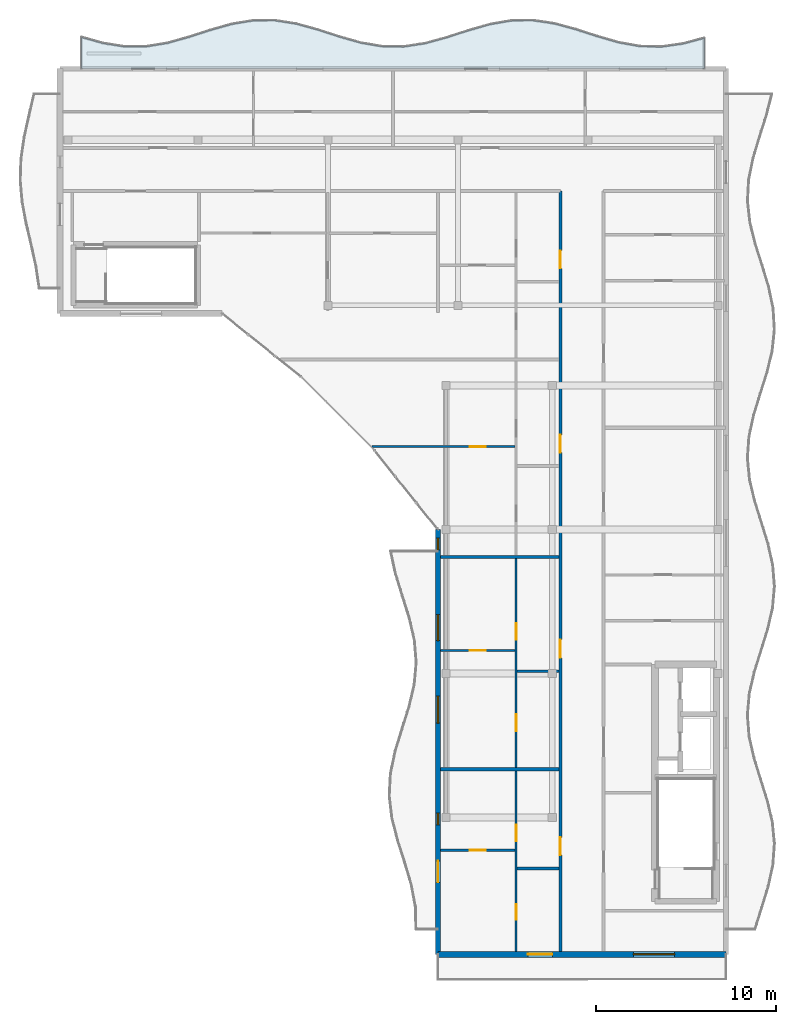
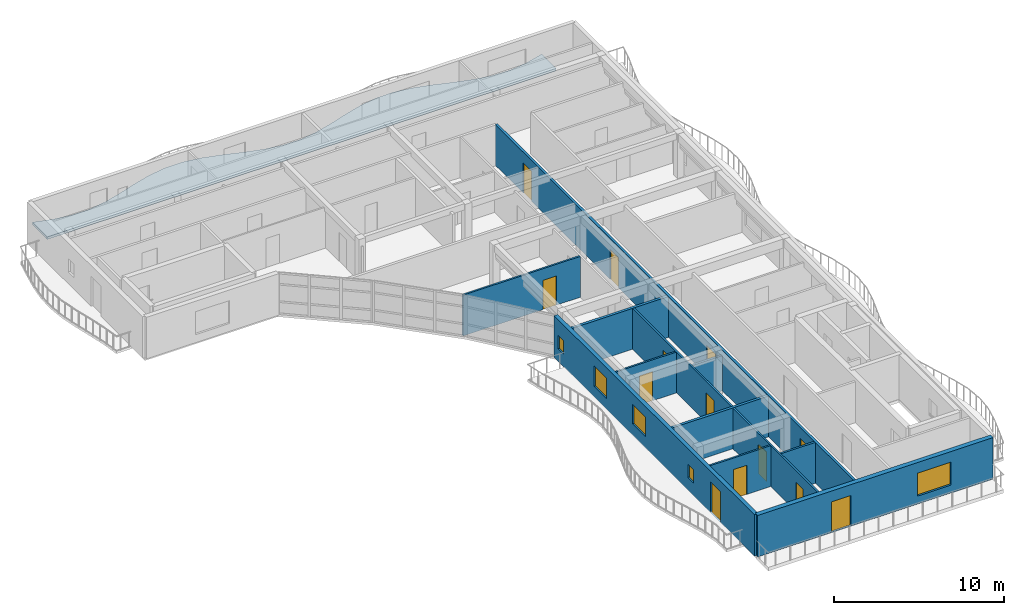
# One storey, part 8 of 14: 13 doors, 12 walls, 5 windows, 1 slab, 18 openings.
"""IFC4 building model written with IfcOpenShell, lengths in metres."""

from ifc_helpers import new_model, si_unit, direction, frame, frame_2d, origin, place, context, subcontext, project, spatial, polyline, rectangle, outline, extrude, material, layer, layer_set, type_object, element, fill, save


model = new_model("IFC4")

# Units and contexts
model_context = context("Model", 3, precision=1e-05, world=origin(), true_north=direction((0.0, 1.0)))
body_context = subcontext(model_context, "Body", "Model", "MODEL_VIEW")
ifc_project = project(units=[si_unit("LENGTHUNIT", "METRE"), si_unit("AREAUNIT", "SQUARE_METRE"), si_unit("VOLUMEUNIT", "CUBIC_METRE"), si_unit("PLANEANGLEUNIT", "RADIAN"), si_unit("MASSUNIT", "GRAM", prefix="KILO")], contexts=[model_context])

# Site, building, storey
site_placement = place(None, origin())
site = spatial("IfcSite", under=ifc_project, at=site_placement, CompositionType="ELEMENT")
building_placement = place(site_placement, origin())
building = spatial("IfcBuilding", under=site, at=building_placement, Name="Keldmere Railside Commons", CompositionType="ELEMENT")
storey_placement = place(building_placement, frame((0.0, 0.0, 42.56005859375)))
storey = spatial("IfcBuildingStorey", under=building, at=storey_placement, Name="L13", CompositionType="ELEMENT", Elevation=42.56005859375)

# Slab
ifc_material_1 = material(Name="White Precast Concrete H-35 (C35/45)", Category="concrete")
ifc_layer_1 = layer(ifc_material_1, 0.179931640625, Name="Sinusoidal Wave Balcony Slab 180")
ifc_layer_set_1 = layer_set([ifc_layer_1], Name="White Precast Concrete H-35 (C35/45)")
slab_type = type_object("IfcSlabType", Name="Sinusoidal Wave Balcony Slab 180", PredefinedType="FLOOR", material=ifc_layer_set_1)
slab_placement = place(storey_placement, frame((0.0, 0.0, -0.18017578125)))
element("IfcSlab", 1, at=slab_placement, inside=storey, type_object=slab_type, Name="WB-1 A L13 N Wave Balcony", PredefinedType="FLOOR", context=body_context, shape_type="SweptSolid", body=[
    extrude(outline(polyline([(148.199951171875, 113.60009765625), (149.39306640625, 113.60009765625), (150.586181640625, 113.60009765625), (151.779296875, 113.60009765625), (152.972412109375, 113.60009765625), (154.16552734375, 113.60009765625), (155.358642578125, 113.60009765625), (156.5517578125, 113.60009765625), (157.744873046875, 113.60009765625), (158.93798828125, 113.60009765625), (160.131103515625, 113.60009765625), (161.32421875, 113.60009765625), (162.51708984375, 113.60009765625), (163.710205078125, 113.60009765625), (164.9033203125, 113.60009765625), (166.0966796875, 113.60009765625), (167.289794921875, 113.60009765625), (168.48291015625, 113.60009765625), (169.67578125, 113.60009765625), (170.868896484375, 113.60009765625), (172.06201171875, 113.60009765625), (173.255126953125, 113.60009765625), (174.4482421875, 113.60009765625), (175.641357421875, 113.60009765625), (176.83447265625, 113.60009765625), (178.027587890625, 113.60009765625), (179.220703125, 113.60009765625), (180.413818359375, 113.60009765625), (181.60693359375, 113.60009765625), (182.800048828125, 113.60009765625), (182.800048828125, 115.302978515625), (181.60693359375, 114.9833984375), (180.413818359375, 114.814208984375), (179.220703125, 114.839599609375), (178.027587890625, 115.053466796875), (176.83447265625, 115.398681640625), (175.641357421875, 115.7841796875), (174.4482421875, 116.107666015625), (173.255126953125, 116.283203125), (172.06201171875, 116.2646484375), (170.868896484375, 116.056640625), (169.67578125, 115.714599609375), (168.48291015625, 115.32861328125), (167.289794921875, 115.001708984375), (166.0966796875, 114.81982421875), (164.9033203125, 114.831298828125), (163.710205078125, 115.033447265625), (162.51708984375, 115.372314453125), (161.32421875, 115.75830078125), (160.131103515625, 116.089111328125), (158.93798828125, 116.277099609375), (157.744873046875, 116.272216796875), (156.5517578125, 116.076416015625), (155.358642578125, 115.74072265625), (154.16552734375, 115.354736328125), (152.972412109375, 115.0205078125), (151.779296875, 114.826416015625), (150.586181640625, 114.82421875), (149.39306640625, 115.01416015625), (148.199951171875, 115.34619140625), (148.199951171875, 113.60009765625)])), origin(), (0.0, 0.0, 1.0), 0.18017578125),
])

# Walls
ifc_material_2 = material(Name="Acoustic Gypsum Board Partition", Category="gypsum")
ifc_layer_2 = layer(ifc_material_2, 0.179931640625, Name="Acoustic Demising Partition 180")
ifc_layer_set_2 = layer_set([ifc_layer_2], Name="Acoustic Gypsum Board Partition")
wall_type_1 = type_object("IfcWallType", Name="Acoustic Demising Partition 180", PredefinedType="PARTITIONING", material=ifc_layer_set_2)
for number, where, z_axis, x_axis, name in (
    (2, (168.1298828125, 74.679931640625, 0.0), (0.0, 0.0, 1.0), (1.0, 0.0, 0.0), "IW-1 IW-L13-1943"),
    (3, (168.1298828125, 86.47998046875, 0.0), (0.0, 0.0, 1.0), (1.0, 0.0, 0.0), "IW-1 IW-L13-1944"),
):
    element("IfcWall", number, at=place(storey_placement, frame(where, z_axis=z_axis, x_axis=x_axis)), inside=storey, type_object=wall_type_1, Name=name, PredefinedType="PARTITIONING", context=body_context, shape_type="SweptSolid", body=[
        extrude(rectangle(XDim=6.590087890625, YDim=0.179931640625, at=frame_2d((3.294921875, 0.0))), origin(), (0.0, 0.0, 1.0), 2.93505859375),
    ])

# Wall, openings, doors
ifc_layer_3 = layer(ifc_material_2, 0.1201171875, Name="Apartment Interior Partition 120")
ifc_layer_set_3 = layer_set([ifc_layer_3], Name="Acoustic Gypsum Board Partition")
wall_type_2 = type_object("IfcWallType", Name="Apartment Interior Partition 120", PredefinedType="PARTITIONING", material=ifc_layer_set_3)
wall_1_placement = place(storey_placement, frame((172.340087890625, 64.56005859375, 0.0), z_axis=(0.0, 0.0, 1.0), x_axis=(0.0, 1.0, 0.0)))
wall_1 = element("IfcWall", 4, at=wall_1_placement, inside=storey, type_object=wall_type_2, Name="IW-4 IW-L13-1946", PredefinedType="PARTITIONING", context=body_context, shape_type="SweptSolid", body=[
    extrude(rectangle(XDim=10.030029296875, YDim=0.1201171875, at=frame_2d((5.01513671875, 0.0))), origin(), (0.0, 0.0, 1.0), 2.93505859375),
])
opening_1_placement = place(wall_1_placement, frame((1.751708984375, 0.0, 0.0)))
opening_1 = element("IfcOpeningElement", 5, at=opening_1_placement, cuts=wall_1, Name="Opening ID-04", PredefinedType="OPENING", context=body_context, shape_type="SweptSolid", body=[
    extrude(rectangle(XDim=0.860107421875, YDim=2.10009765625, at=frame_2d((0.43017578125, 1.050048828125))), frame((0.0, 0.070068359375, 0.0), z_axis=(0.0, -1.0, 0.0), x_axis=(1.0, 0.0, 0.0)), (0.0, 0.0, 1.0), 0.14013671875),
])
opening_2_placement = place(wall_1_placement, frame((6.127685546875, 0.0, 0.0)))
opening_2 = element("IfcOpeningElement", 6, at=opening_2_placement, cuts=wall_1, Name="Opening ID-03", PredefinedType="OPENING", context=body_context, shape_type="SweptSolid", body=[
    extrude(rectangle(XDim=0.919921875, YDim=2.10009765625, at=frame_2d((0.4599609375, 1.050048828125))), frame((0.0, 0.070068359375, 0.0), z_axis=(0.0, -1.0, 0.0), x_axis=(1.0, 0.0, 0.0)), (0.0, 0.0, 1.0), 0.14013671875),
])
ifc_material_3 = material(Name="Engineered Oak Timber", Category="wood")
door_type_1 = type_object("IfcDoorType", Name="Apartment Bathroom Door 860x2100", OperationType="NOTDEFINED", PredefinedType="DOOR", material=ifc_material_3)
door_1_placement = place(opening_1_placement, origin())
door_1 = element("IfcDoor", 7, at=door_1_placement, inside=storey, type_object=door_type_1, Name="ID-04 IDR-L13-1780", OperationType="SINGLE_SWING_RIGHT", OverallHeight=2.10009765625, OverallWidth=0.860107421875, PredefinedType="DOOR", context=body_context, shape_type="SweptSolid", body=[
    extrude(rectangle(XDim=0.860107421875, YDim=2.10009765625, at=frame_2d((0.43017578125, 1.050048828125))), frame((0.0, 0.02490234375, 0.0), z_axis=(0.0, -1.0, 0.0), x_axis=(1.0, 0.0, 0.0)), (0.0, 0.0, 1.0), 0.050048828125),
])
fill(opening_1, door_1)
door_type_2 = type_object("IfcDoorType", Name="Kitchen Pocket-Frame Swing Door 920x2100", OperationType="NOTDEFINED", PredefinedType="DOOR", material=ifc_material_3)
door_2_placement = place(opening_2_placement, origin())
door_2 = element("IfcDoor", 8, at=door_2_placement, inside=storey, type_object=door_type_2, Name="ID-03 IDR-L13-1781", OperationType="SINGLE_SWING_LEFT", OverallHeight=2.10009765625, OverallWidth=0.919921875, PredefinedType="DOOR", context=body_context, shape_type="SweptSolid", body=[
    extrude(rectangle(XDim=0.919921875, YDim=2.10009765625, at=frame_2d((0.4599609375, 1.050048828125))), frame((0.0, 0.02490234375, 0.0), z_axis=(0.0, -1.0, 0.0), x_axis=(1.0, 0.0, 0.0)), (0.0, 0.0, 1.0), 0.050048828125),
])
fill(opening_2, door_2)

# Wall, opening, door
wall_2_placement = place(storey_placement, frame((168.1298828125, 70.179931640625, 0.0), z_axis=(0.0, 0.0, 1.0), x_axis=(1.0, 0.0, 0.0)))
wall_2 = element("IfcWall", 9, at=wall_2_placement, inside=storey, type_object=wall_type_2, Name="IW-4 IW-L13-1948", PredefinedType="PARTITIONING", context=body_context, shape_type="SweptSolid", body=[
    extrude(rectangle(XDim=4.150146484375, YDim=0.1201171875, at=frame_2d((2.0751953125, 0.0))), origin(), (0.0, 0.0, 1.0), 2.93505859375),
])
opening_3_placement = place(wall_2_placement, frame((1.625, 0.0, 0.0)))
opening_3 = element("IfcOpeningElement", 10, at=opening_3_placement, cuts=wall_2, Name="Opening ID-01", PredefinedType="OPENING", context=body_context, shape_type="SweptSolid", body=[
    extrude(rectangle(XDim=0.89990234375, YDim=2.10009765625, at=frame_2d((0.449951171875, 1.050048828125))), frame((0.0, 0.070068359375, 0.0), z_axis=(0.0, -1.0, 0.0), x_axis=(1.0, 0.0, 0.0)), (0.0, 0.0, 1.0), 0.14013671875),
])
door_type_3 = type_object("IfcDoorType", Name="Primary Bedroom Door 900x2100", OperationType="NOTDEFINED", PredefinedType="DOOR", material=ifc_material_3)
door_3_placement = place(opening_3_placement, origin())
door_3 = element("IfcDoor", 11, at=door_3_placement, inside=storey, type_object=door_type_3, Name="ID-01 IDR-L13-1783", OperationType="SINGLE_SWING_LEFT", OverallHeight=2.10009765625, OverallWidth=0.89990234375, PredefinedType="DOOR", context=body_context, shape_type="SweptSolid", body=[
    extrude(rectangle(XDim=0.89990234375, YDim=2.10009765625, at=frame_2d((0.449951171875, 1.050048828125))), frame((0.0, 0.02490234375, 0.0), z_axis=(0.0, -1.0, 0.0), x_axis=(1.0, 0.0, 0.0)), (0.0, 0.0, 1.0), 0.050048828125),
])
fill(opening_3, door_3)

# Wall, openings, doors
wall_3_placement = place(storey_placement, frame((172.340087890625, 74.77001953125, 0.0), z_axis=(0.0, 0.0, 1.0), x_axis=(0.0, 1.0, 0.0)))
wall_3 = element("IfcWall", 12, at=wall_3_placement, inside=storey, type_object=wall_type_2, Name="IW-4 IW-L13-1949", PredefinedType="PARTITIONING", context=body_context, shape_type="SweptSolid", body=[
    extrude(rectangle(XDim=11.619873046875, YDim=0.1201171875, at=frame_2d((5.81005859375, 0.0))), origin(), (0.0, 0.0, 1.0), 2.93505859375),
])
opening_4_placement = place(wall_3_placement, frame((2.032958984375, 0.0, 0.0)))
opening_4 = element("IfcOpeningElement", 13, at=opening_4_placement, cuts=wall_3, Name="Opening ID-05", PredefinedType="OPENING", context=body_context, shape_type="SweptSolid", body=[
    extrude(rectangle(XDim=0.93994140625, YDim=2.10009765625, at=frame_2d((0.469970703125, 1.050048828125))), frame((0.0, 0.070068359375, 0.0), z_axis=(0.0, -1.0, 0.0), x_axis=(1.0, 0.0, 0.0)), (0.0, 0.0, 1.0), 0.14013671875),
])
opening_5_placement = place(wall_3_placement, frame((7.105712890625, 0.0, 0.0)))
opening_5 = element("IfcOpeningElement", 14, at=opening_5_placement, cuts=wall_3, Name="Opening ID-03", PredefinedType="OPENING", context=body_context, shape_type="SweptSolid", body=[
    extrude(rectangle(XDim=0.919921875, YDim=2.10009765625, at=frame_2d((0.4599609375, 1.050048828125))), frame((0.0, 0.070068359375, 0.0), z_axis=(0.0, -1.0, 0.0), x_axis=(1.0, 0.0, 0.0)), (0.0, 0.0, 1.0), 0.14013671875),
])
door_type_4 = type_object("IfcDoorType", Name="Accessible Bathroom Door 940x2100", OperationType="NOTDEFINED", PredefinedType="DOOR", material=ifc_material_3)
door_4_placement = place(opening_4_placement, origin())
door_4 = element("IfcDoor", 15, at=door_4_placement, inside=storey, type_object=door_type_4, Name="ID-05 IDR-L13-1784", OperationType="SINGLE_SWING_RIGHT", OverallHeight=2.10009765625, OverallWidth=0.93994140625, PredefinedType="DOOR", context=body_context, shape_type="SweptSolid", body=[
    extrude(rectangle(XDim=0.93994140625, YDim=2.10009765625, at=frame_2d((0.469970703125, 1.050048828125))), frame((0.0, 0.02490234375, 0.0), z_axis=(0.0, -1.0, 0.0), x_axis=(1.0, 0.0, 0.0)), (0.0, 0.0, 1.0), 0.050048828125),
])
fill(opening_4, door_4)
door_5_placement = place(opening_5_placement, origin())
door_5 = element("IfcDoor", 16, at=door_5_placement, inside=storey, type_object=door_type_2, Name="ID-03 IDR-L13-1785", OperationType="SINGLE_SWING_LEFT", OverallHeight=2.10009765625, OverallWidth=0.919921875, PredefinedType="DOOR", context=body_context, shape_type="SweptSolid", body=[
    extrude(rectangle(XDim=0.919921875, YDim=2.10009765625, at=frame_2d((0.4599609375, 1.050048828125))), frame((0.0, 0.02490234375, 0.0), z_axis=(0.0, -1.0, 0.0), x_axis=(1.0, 0.0, 0.0)), (0.0, 0.0, 1.0), 0.050048828125),
])
fill(opening_5, door_5)

# Wall, opening, door
wall_4_placement = place(storey_placement, frame((168.1298828125, 81.280029296875, 0.0), z_axis=(0.0, 0.0, 1.0), x_axis=(1.0, 0.0, 0.0)))
wall_4 = element("IfcWall", 17, at=wall_4_placement, inside=storey, type_object=wall_type_2, Name="IW-4 IW-L13-1951", PredefinedType="PARTITIONING", context=body_context, shape_type="SweptSolid", body=[
    extrude(rectangle(XDim=4.150146484375, YDim=0.1201171875, at=frame_2d((2.0751953125, 0.0))), origin(), (0.0, 0.0, 1.0), 2.93505859375),
])
opening_6_placement = place(wall_4_placement, frame((1.625, 0.0, 0.0)))
opening_6 = element("IfcOpeningElement", 18, at=opening_6_placement, cuts=wall_4, Name="Opening ID-01", PredefinedType="OPENING", context=body_context, shape_type="SweptSolid", body=[
    extrude(rectangle(XDim=0.89990234375, YDim=2.10009765625, at=frame_2d((0.449951171875, 1.050048828125))), frame((0.0, 0.070068359375, 0.0), z_axis=(0.0, -1.0, 0.0), x_axis=(1.0, 0.0, 0.0)), (0.0, 0.0, 1.0), 0.14013671875),
])
door_6_placement = place(opening_6_placement, origin())
door_6 = element("IfcDoor", 19, at=door_6_placement, inside=storey, type_object=door_type_3, Name="ID-01 IDR-L13-1787", OperationType="SINGLE_SWING_LEFT", OverallHeight=2.10009765625, OverallWidth=0.89990234375, PredefinedType="DOOR", context=body_context, shape_type="SweptSolid", body=[
    extrude(rectangle(XDim=0.89990234375, YDim=2.10009765625, at=frame_2d((0.449951171875, 1.050048828125))), frame((0.0, 0.02490234375, 0.0), z_axis=(0.0, -1.0, 0.0), x_axis=(1.0, 0.0, 0.0)), (0.0, 0.0, 1.0), 0.050048828125),
])
fill(opening_6, door_6)

wall_5_placement = place(storey_placement, frame((164.322509765625, 92.610107421875, 0.0), z_axis=(0.0, 0.0, 1.0), x_axis=(1.0, 0.0, 0.0)))
wall_5 = element("IfcWall", 20, at=wall_5_placement, inside=storey, type_object=wall_type_2, Name="IW-4 IW-L13-1954", PredefinedType="PARTITIONING", context=body_context, shape_type="SweptSolid", body=[
    extrude(rectangle(XDim=7.95751953125, YDim=0.1201171875, at=frame_2d((3.978759765625, 0.0))), origin(), (0.0, 0.0, 1.0), 2.93505859375),
])
opening_7_placement = place(wall_5_placement, frame((5.431884765625, 0.0, 0.0)))
opening_7 = element("IfcOpeningElement", 21, at=opening_7_placement, cuts=wall_5, Name="Opening ID-01", PredefinedType="OPENING", context=body_context, shape_type="SweptSolid", body=[
    extrude(rectangle(XDim=0.89990234375, YDim=2.10009765625, at=frame_2d((0.449951171875, 1.050048828125))), frame((0.0, 0.070068359375, 0.0), z_axis=(0.0, -1.0, 0.0), x_axis=(1.0, 0.0, 0.0)), (0.0, 0.0, 1.0), 0.14013671875),
])
door_7_placement = place(opening_7_placement, origin())
door_7 = element("IfcDoor", 22, at=door_7_placement, inside=storey, type_object=door_type_3, Name="ID-01 IDR-L13-1791", OperationType="SINGLE_SWING_LEFT", OverallHeight=2.10009765625, OverallWidth=0.89990234375, PredefinedType="DOOR", context=body_context, shape_type="SweptSolid", body=[
    extrude(rectangle(XDim=0.89990234375, YDim=2.10009765625, at=frame_2d((0.449951171875, 1.050048828125))), frame((0.0, 0.02490234375, 0.0), z_axis=(0.0, -1.0, 0.0), x_axis=(1.0, 0.0, 0.0)), (0.0, 0.0, 1.0), 0.050048828125),
])
fill(opening_7, door_7)

# Wall, openings, doors
ifc_layer_4 = layer(ifc_material_2, 0.159912109375, Name="Corridor Fire Partition 160")
ifc_layer_set_4 = layer_set([ifc_layer_4], Name="Acoustic Gypsum Board Partition")
wall_type_3 = type_object("IfcWallType", Name="Corridor Fire Partition 160", PredefinedType="PARTITIONING", material=ifc_layer_set_4)
wall_6_placement = place(storey_placement, frame((174.800048828125, 64.56005859375, 0.0), z_axis=(0.0, 0.0, 1.0), x_axis=(0.0, 1.0, 0.0)))
wall_6 = element("IfcWall", 23, at=wall_6_placement, inside=storey, type_object=wall_type_3, Name="IW-2 IW-L13-1935", PredefinedType="PARTITIONING", context=body_context, shape_type="SweptSolid", body=[
    extrude(rectangle(XDim=42.239990234375, YDim=0.159912109375, at=frame_2d((21.1201171875, 0.0))), origin(), (0.0, 0.0, 1.0), 2.93505859375),
])
opening_8_placement = place(wall_6_placement, frame((5.360107421875, 0.0, 0.0)))
opening_8 = element("IfcOpeningElement", 24, at=opening_8_placement, cuts=wall_6, Name="Opening FD-7", PredefinedType="OPENING", context=body_context, shape_type="SweptSolid", body=[
    extrude(rectangle(XDim=0.97998046875, YDim=2.14990234375, at=frame_2d((0.489990234375, 1.074951171875))), frame((0.0, 0.08984375, 0.0), z_axis=(0.0, -1.0, 0.0), x_axis=(1.0, 0.0, 0.0)), (0.0, 0.0, 1.0), 0.179931640625),
])
opening_9_placement = place(wall_6_placement, frame((16.31005859375, 0.0, 0.0)))
opening_9 = element("IfcOpeningElement", 25, at=opening_9_placement, cuts=wall_6, Name="Opening FD-8", PredefinedType="OPENING", context=body_context, shape_type="SweptSolid", body=[
    extrude(rectangle(XDim=1.02001953125, YDim=2.14990234375, at=frame_2d((0.510009765625, 1.074951171875))), frame((0.0, 0.08984375, 0.0), z_axis=(0.0, -1.0, 0.0), x_axis=(1.0, 0.0, 0.0)), (0.0, 0.0, 1.0), 0.179931640625),
])
opening_10_placement = place(wall_6_placement, frame((27.719970703125, 0.0, 0.0)))
opening_10 = element("IfcOpeningElement", 26, at=opening_10_placement, cuts=wall_6, Name="Opening FD-7", PredefinedType="OPENING", context=body_context, shape_type="SweptSolid", body=[
    extrude(rectangle(XDim=0.97998046875, YDim=2.14990234375, at=frame_2d((0.489990234375, 1.074951171875))), frame((0.0, 0.08984375, 0.0), z_axis=(0.0, -1.0, 0.0), x_axis=(1.0, 0.0, 0.0)), (0.0, 0.0, 1.0), 0.179931640625),
])
opening_11_placement = place(wall_6_placement, frame((37.949951171875, 0.0, 0.0)))
opening_11 = element("IfcOpeningElement", 27, at=opening_11_placement, cuts=wall_6, Name="Opening FD-7", PredefinedType="OPENING", context=body_context, shape_type="SweptSolid", body=[
    extrude(rectangle(XDim=0.97998046875, YDim=2.14990234375, at=frame_2d((0.489990234375, 1.074951171875))), frame((0.0, 0.08984375, 0.0), z_axis=(0.0, -1.0, 0.0), x_axis=(1.0, 0.0, 0.0)), (0.0, 0.0, 1.0), 0.179931640625),
])
door_type_5 = type_object("IfcDoorType", Name="Adaptable Apartment Entrance Fire Door 1020x2150", OperationType="NOTDEFINED", PredefinedType="DOOR", material=ifc_material_3)
door_8_placement = place(opening_9_placement, origin())
door_8 = element("IfcDoor", 28, at=door_8_placement, inside=storey, type_object=door_type_5, Name="FD-8 IDR-L13-1786", OperationType="SINGLE_SWING_RIGHT", OverallHeight=2.14990234375, OverallWidth=1.02001953125, PredefinedType="DOOR", context=body_context, shape_type="SweptSolid", body=[
    extrude(rectangle(XDim=1.02001953125, YDim=2.14990234375, at=frame_2d((0.510009765625, 1.074951171875))), frame((0.0, 0.02490234375, 0.0), z_axis=(0.0, -1.0, 0.0), x_axis=(1.0, 0.0, 0.0)), (0.0, 0.0, 1.0), 0.050048828125),
])
fill(opening_9, door_8)
door_type_6 = type_object("IfcDoorType", Name="Apartment Entrance Acoustic Fire Door 980x2150", OperationType="NOTDEFINED", PredefinedType="DOOR", material=ifc_material_3)
door_9_placement = place(opening_8_placement, origin())
door_9 = element("IfcDoor", 29, at=door_9_placement, inside=storey, type_object=door_type_6, Name="FD-7 IDR-L13-1782", OperationType="SINGLE_SWING_RIGHT", OverallHeight=2.14990234375, OverallWidth=0.97998046875, PredefinedType="DOOR", context=body_context, shape_type="SweptSolid", body=[
    extrude(rectangle(XDim=0.97998046875, YDim=2.14990234375, at=frame_2d((0.489990234375, 1.074951171875))), frame((0.0, 0.02490234375, 0.0), z_axis=(0.0, -1.0, 0.0), x_axis=(1.0, 0.0, 0.0)), (0.0, 0.0, 1.0), 0.050048828125),
])
fill(opening_8, door_9)
door_10_placement = place(opening_10_placement, origin())
door_10 = element("IfcDoor", 30, at=door_10_placement, inside=storey, type_object=door_type_6, Name="FD-7 IDR-L13-1790", OperationType="SINGLE_SWING_RIGHT", OverallHeight=2.14990234375, OverallWidth=0.97998046875, PredefinedType="DOOR", context=body_context, shape_type="SweptSolid", body=[
    extrude(rectangle(XDim=0.97998046875, YDim=2.14990234375, at=frame_2d((0.489990234375, 1.074951171875))), frame((0.0, 0.02490234375, 0.0), z_axis=(0.0, -1.0, 0.0), x_axis=(1.0, 0.0, 0.0)), (0.0, 0.0, 1.0), 0.050048828125),
])
fill(opening_10, door_10)
door_11_placement = place(opening_11_placement, origin())
door_11 = element("IfcDoor", 31, at=door_11_placement, inside=storey, type_object=door_type_6, Name="FD-7 IDR-L13-1794", OperationType="SINGLE_SWING_RIGHT", OverallHeight=2.14990234375, OverallWidth=0.97998046875, PredefinedType="DOOR", context=body_context, shape_type="SweptSolid", body=[
    extrude(rectangle(XDim=0.97998046875, YDim=2.14990234375, at=frame_2d((0.489990234375, 1.074951171875))), frame((0.0, 0.02490234375, 0.0), z_axis=(0.0, -1.0, 0.0), x_axis=(1.0, 0.0, 0.0)), (0.0, 0.0, 1.0), 0.050048828125),
])
fill(opening_11, door_11)

# Wall, openings, door, window
ifc_material_4 = material(Name="Concrete H-35 (C35/45)", Category="concrete")
ifc_layer_5 = layer(ifc_material_4, 0.320068359375, Name="Exterior Shear Wall 320")
ifc_layer_set_5 = layer_set([ifc_layer_5], Name="Concrete H-35 (C35/45)")
wall_type_4 = type_object("IfcWallType", Name="Exterior Shear Wall 320", PredefinedType="SHEAR", material=ifc_layer_set_5)
wall_7_placement = place(storey_placement, frame((184.0, 64.39990234375, 0.0), z_axis=(0.0, 0.0, 1.0), x_axis=(-1.0, 0.0, 0.0)))
wall_7 = element("IfcWall", 32, at=wall_7_placement, inside=storey, type_object=wall_type_4, Name="ESW-2 EXTA-L13-0965", PredefinedType="SHEAR", context=body_context, shape_type="SweptSolid", body=[
    extrude(rectangle(XDim=16.0, YDim=0.320068359375, at=frame_2d((8.0, 0.0))), origin(), (0.0, 0.0, 1.0), 2.97998046875),
])
opening_12_placement = place(wall_7_placement, frame((9.64990234375, 0.0, 0.0)))
opening_12 = element("IfcOpeningElement", 33, at=opening_12_placement, cuts=wall_7, Name="Opening BD-03", PredefinedType="OPENING", context=body_context, shape_type="SweptSolid", body=[
    extrude(rectangle(XDim=1.35009765625, YDim=2.199951171875, at=frame_2d((0.675048828125, 1.10009765625))), frame((0.0, 0.169921875, 0.0), z_axis=(0.0, -1.0, 0.0), x_axis=(1.0, 0.0, 0.0)), (0.0, 0.0, 1.0), 0.340087890625),
])
opening_13_placement = place(wall_7_placement, frame((2.85009765625, 0.0, 0.570068359375)))
opening_13 = element("IfcOpeningElement", 34, at=opening_13_placement, cuts=wall_7, Name="Opening WN-23", PredefinedType="OPENING", context=body_context, shape_type="SweptSolid", body=[
    extrude(rectangle(XDim=2.300048828125, YDim=1.64990234375, at=frame_2d((1.14990234375, 0.824951171875))), frame((0.0, 0.169921875, 0.0), z_axis=(0.0, -1.0, 0.0), x_axis=(1.0, 0.0, 0.0)), (0.0, 0.0, 1.0), 0.340087890625),
])
ifc_material_5 = material(Name="Thermally Broken Aluminium", Category="aluminium")
door_type_7 = type_object("IfcDoorType", Name="Planted Roof-Terrace Lounge Door 1350x2200", OperationType="NOTDEFINED", PredefinedType="DOOR", material=ifc_material_5)
door_12_placement = place(opening_12_placement, origin())
door_12 = element("IfcDoor", 35, at=door_12_placement, inside=storey, type_object=door_type_7, Name="BD-03 DR-L13-0291", OperationType="SINGLE_SWING_LEFT", OverallHeight=2.199951171875, OverallWidth=1.35009765625, PredefinedType="DOOR", context=body_context, shape_type="SweptSolid", body=[
    extrude(rectangle(XDim=1.35009765625, YDim=2.199951171875, at=frame_2d((0.675048828125, 1.10009765625))), frame((0.0, 0.02490234375, 0.0), z_axis=(0.0, -1.0, 0.0), x_axis=(1.0, 0.0, 0.0)), (0.0, 0.0, 1.0), 0.050048828125),
])
fill(opening_12, door_12)
ifc_material_6 = material(Name="Low-E Insulated Double Glazing", Category="glass")
window_type_1 = type_object("IfcWindowType", Name="Setback Terrace Penthouse Window 2300x1650", PartitioningType="SINGLE_PANEL", PredefinedType="WINDOW", material=ifc_material_6)
window_1_placement = place(opening_13_placement, origin())
window_1 = element("IfcWindow", 36, at=window_1_placement, inside=storey, type_object=window_type_1, Name="WN-23 WIN-L13-0802", OverallHeight=1.64990234375, OverallWidth=2.300048828125, PartitioningType="SINGLE_PANEL", PredefinedType="WINDOW", context=body_context, shape_type="SweptSolid", body=[
    extrude(rectangle(XDim=2.300048828125, YDim=1.64990234375, at=frame_2d((1.14990234375, 0.824951171875))), frame((0.0, 0.030029296875, 0.0), z_axis=(0.0, -1.0, 0.0), x_axis=(1.0, 0.0, 0.0)), (0.0, 0.0, 1.0), 0.06005859375),
])
fill(opening_13, window_1)

# Wall, openings, door, windows
ifc_material_7 = material(Name="Terracotta Brick Masonry", Category="masonry")
ifc_layer_6 = layer(ifc_material_7, 0.260009765625, Name="Terracotta Cavity Wall 260")
ifc_layer_set_6 = layer_set([ifc_layer_6], Name="Terracotta Brick Masonry")
wall_type_5 = type_object("IfcWallType", Name="Terracotta Cavity Wall 260", PredefinedType="SOLIDWALL", material=ifc_layer_set_6)
wall_8_placement = place(storey_placement, frame((168.0, 64.39990234375, 0.0), z_axis=(0.0, 0.0, 1.0), x_axis=(0.0, 1.0, 0.0)))
wall_8 = element("IfcWall", 37, at=wall_8_placement, inside=storey, type_object=wall_type_5, Name="EW-1 EXTA-L13-0970", PredefinedType="SOLIDWALL", context=body_context, shape_type="SweptSolid", body=[
    extrude(rectangle(XDim=23.60009765625, YDim=0.260009765625, at=frame_2d((11.800048828125, 0.0))), origin(), (0.0, 0.0, 1.0), 2.97998046875),
])
opening_14_placement = place(wall_8_placement, frame((4.0, 0.0, 0.0)))
opening_14 = element("IfcOpeningElement", 38, at=opening_14_placement, cuts=wall_8, Name="Opening BD-01", PredefinedType="OPENING", context=body_context, shape_type="SweptSolid", body=[
    extrude(rectangle(XDim=1.199951171875, YDim=2.199951171875, at=frame_2d((0.60009765625, 1.10009765625))), frame((0.0, 0.139892578125, 0.0), z_axis=(0.0, -1.0, 0.0), x_axis=(1.0, 0.0, 0.0)), (0.0, 0.0, 1.0), 0.280029296875),
])
opening_15_placement = place(wall_8_placement, frame((7.199951171875, 0.0, 0.89990234375)))
opening_15 = element("IfcOpeningElement", 39, at=opening_15_placement, cuts=wall_8, Name="Opening WN-15", PredefinedType="OPENING", context=body_context, shape_type="SweptSolid", body=[
    extrude(rectangle(XDim=0.64990234375, YDim=0.949951171875, at=frame_2d((0.324951171875, 0.47509765625))), frame((0.0, 0.139892578125, 0.0), z_axis=(0.0, -1.0, 0.0), x_axis=(1.0, 0.0, 0.0)), (0.0, 0.0, 1.0), 0.280029296875),
])
opening_16_placement = place(wall_8_placement, frame((17.425048828125, 0.0, 0.77001953125)))
opening_16 = element("IfcOpeningElement", 40, at=opening_16_placement, cuts=wall_8, Name="Opening WN-24", PredefinedType="OPENING", context=body_context, shape_type="SweptSolid", body=[
    extrude(rectangle(XDim=1.449951171875, YDim=1.449951171875, at=frame_2d((0.72509765625, 0.72509765625))), frame((0.0, 0.139892578125, 0.0), z_axis=(0.0, -1.0, 0.0), x_axis=(1.0, 0.0, 0.0)), (0.0, 0.0, 1.0), 0.280029296875),
])
opening_17_placement = place(wall_8_placement, frame((12.85009765625, 0.0, 0.820068359375)))
opening_17 = element("IfcOpeningElement", 41, at=opening_17_placement, cuts=wall_8, Name="Opening WN-06", PredefinedType="OPENING", context=body_context, shape_type="SweptSolid", body=[
    extrude(rectangle(XDim=1.5, YDim=1.39990234375, at=frame_2d((0.75, 0.699951171875))), frame((0.0, 0.139892578125, 0.0), z_axis=(0.0, -1.0, 0.0), x_axis=(1.0, 0.0, 0.0)), (0.0, 0.0, 1.0), 0.280029296875),
])
opening_18_placement = place(wall_8_placement, frame((22.469970703125, 0.0, 0.89990234375)))
opening_18 = element("IfcOpeningElement", 42, at=opening_18_placement, cuts=wall_8, Name="Opening WN-15", PredefinedType="OPENING", context=body_context, shape_type="SweptSolid", body=[
    extrude(rectangle(XDim=0.64990234375, YDim=0.949951171875, at=frame_2d((0.324951171875, 0.47509765625))), frame((0.0, 0.139892578125, 0.0), z_axis=(0.0, -1.0, 0.0), x_axis=(1.0, 0.0, 0.0)), (0.0, 0.0, 1.0), 0.280029296875),
])
door_type_8 = type_object("IfcDoorType", Name="Apartment Living Wave-Balcony Glazed Door 1200x2200", OperationType="NOTDEFINED", PredefinedType="DOOR", material=ifc_material_5)
door_13_placement = place(opening_14_placement, origin())
door_13 = element("IfcDoor", 43, at=door_13_placement, inside=storey, type_object=door_type_8, Name="BD-01 DR-L13-0296", OperationType="SINGLE_SWING_RIGHT", OverallHeight=2.199951171875, OverallWidth=1.199951171875, PredefinedType="DOOR", context=body_context, shape_type="SweptSolid", body=[
    extrude(rectangle(XDim=1.199951171875, YDim=2.199951171875, at=frame_2d((0.60009765625, 1.10009765625))), frame((0.0, 0.02490234375, 0.0), z_axis=(0.0, -1.0, 0.0), x_axis=(1.0, 0.0, 0.0)), (0.0, 0.0, 1.0), 0.050048828125),
])
fill(opening_14, door_13)
window_type_2 = type_object("IfcWindowType", Name="Exterior Bathroom Frosted Window 650x950", PartitioningType="SINGLE_PANEL", PredefinedType="WINDOW", material=ifc_material_6)
window_2_placement = place(opening_15_placement, origin())
window_2 = element("IfcWindow", 44, at=window_2_placement, inside=storey, type_object=window_type_2, Name="WN-15 WIN-L13-0814", OverallHeight=0.949951171875, OverallWidth=0.64990234375, PartitioningType="SINGLE_PANEL", PredefinedType="WINDOW", context=body_context, shape_type="SweptSolid", body=[
    extrude(rectangle(XDim=0.64990234375, YDim=0.949951171875, at=frame_2d((0.324951171875, 0.47509765625))), frame((0.0, 0.030029296875, 0.0), z_axis=(0.0, -1.0, 0.0), x_axis=(1.0, 0.0, 0.0)), (0.0, 0.0, 1.0), 0.06005859375),
])
fill(opening_15, window_2)
window_3_placement = place(opening_18_placement, origin())
window_3 = element("IfcWindow", 45, at=window_3_placement, inside=storey, type_object=window_type_2, Name="WN-15 WIN-L13-9087", OverallHeight=0.949951171875, OverallWidth=0.64990234375, PartitioningType="SINGLE_PANEL", PredefinedType="WINDOW", context=body_context, shape_type="SweptSolid", body=[
    extrude(rectangle(XDim=0.64990234375, YDim=0.949951171875, at=frame_2d((0.324951171875, 0.47509765625))), frame((0.0, 0.030029296875, 0.0), z_axis=(0.0, -1.0, 0.0), x_axis=(1.0, 0.0, 0.0)), (0.0, 0.0, 1.0), 0.06005859375),
])
fill(opening_18, window_3)
window_type_3 = type_object("IfcWindowType", Name="Primary Bedroom North Window 1500x1400", PartitioningType="SINGLE_PANEL", PredefinedType="WINDOW", material=ifc_material_6)
window_4_placement = place(opening_17_placement, origin())
window_4 = element("IfcWindow", 46, at=window_4_placement, inside=storey, type_object=window_type_3, Name="WN-06 WIN-L13-9086", OverallHeight=1.39990234375, OverallWidth=1.5, PartitioningType="SINGLE_PANEL", PredefinedType="WINDOW", context=body_context, shape_type="SweptSolid", body=[
    extrude(rectangle(XDim=1.5, YDim=1.39990234375, at=frame_2d((0.75, 0.699951171875))), frame((0.0, 0.030029296875, 0.0), z_axis=(0.0, -1.0, 0.0), x_axis=(1.0, 0.0, 0.0)), (0.0, 0.0, 1.0), 0.06005859375),
])
fill(opening_17, window_4)
window_type_4 = type_object("IfcWindowType", Name="Setback Terrace Bedroom Window 1450x1450", PartitioningType="SINGLE_PANEL", PredefinedType="WINDOW", material=ifc_material_6)
window_5_placement = place(opening_16_placement, origin())
window_5 = element("IfcWindow", 47, at=window_5_placement, inside=storey, type_object=window_type_4, Name="WN-24 WIN-L13-0815", OverallHeight=1.449951171875, OverallWidth=1.449951171875, PartitioningType="SINGLE_PANEL", PredefinedType="WINDOW", context=body_context, shape_type="SweptSolid", body=[
    extrude(rectangle(XDim=1.449951171875, YDim=1.449951171875, at=frame_2d((0.72509765625, 0.72509765625))), frame((0.0, 0.030029296875, 0.0), z_axis=(0.0, -1.0, 0.0), x_axis=(1.0, 0.0, 0.0)), (0.0, 0.0, 1.0), 0.06005859375),
])
fill(opening_16, window_5)

# Walls
ifc_layer_7 = layer(ifc_material_2, 0.139892578125, Name="Wet-Room Sanitary Partition 140")
ifc_layer_set_7 = layer_set([ifc_layer_7], Name="Acoustic Gypsum Board Partition")
wall_type_6 = type_object("IfcWallType", Name="Wet-Room Sanitary Partition 140", PredefinedType="PARTITIONING", material=ifc_layer_set_7)
wall_9_placement = place(storey_placement, frame((172.39990234375, 69.169921875, 0.0), z_axis=(0.0, 0.0, 1.0), x_axis=(1.0, 0.0, 0.0)))
element("IfcWall", 48, at=wall_9_placement, inside=storey, type_object=wall_type_6, Name="IW-5 IW-L13-1947", PredefinedType="PARTITIONING", context=body_context, shape_type="SweptSolid", body=[
    extrude(rectangle(XDim=2.320068359375, YDim=0.139892578125, at=frame_2d((1.16015625, 0.0))), origin(), (0.0, 0.0, 1.0), 2.93505859375),
])
wall_10_placement = place(storey_placement, frame((172.39990234375, 80.1201171875, 0.0), z_axis=(0.0, 0.0, 1.0), x_axis=(1.0, 0.0, 0.0)))
element("IfcWall", 49, at=wall_10_placement, inside=storey, type_object=wall_type_6, Name="IW-5 IW-L13-1950", PredefinedType="PARTITIONING", context=body_context, shape_type="SweptSolid", body=[
    extrude(rectangle(XDim=2.320068359375, YDim=0.139892578125, at=frame_2d((1.16015625, 0.0))), origin(), (0.0, 0.0, 1.0), 2.530029296875),
])

save(model, "model.ifc")
